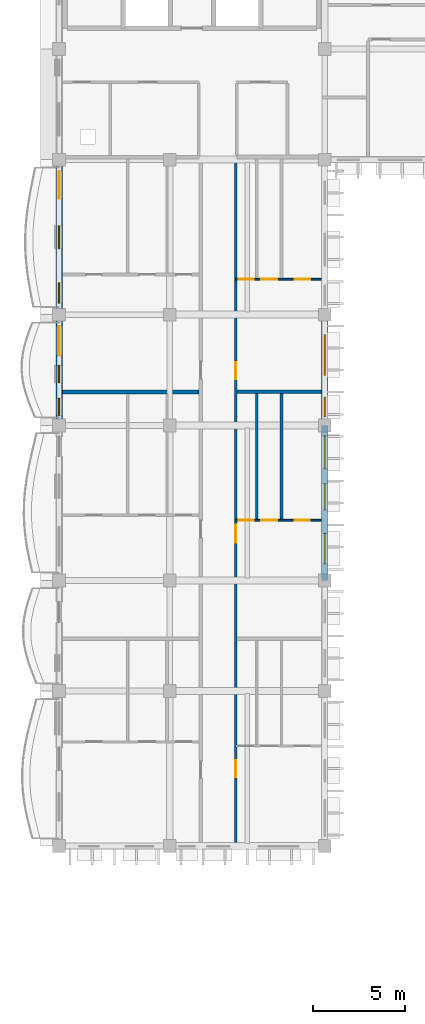
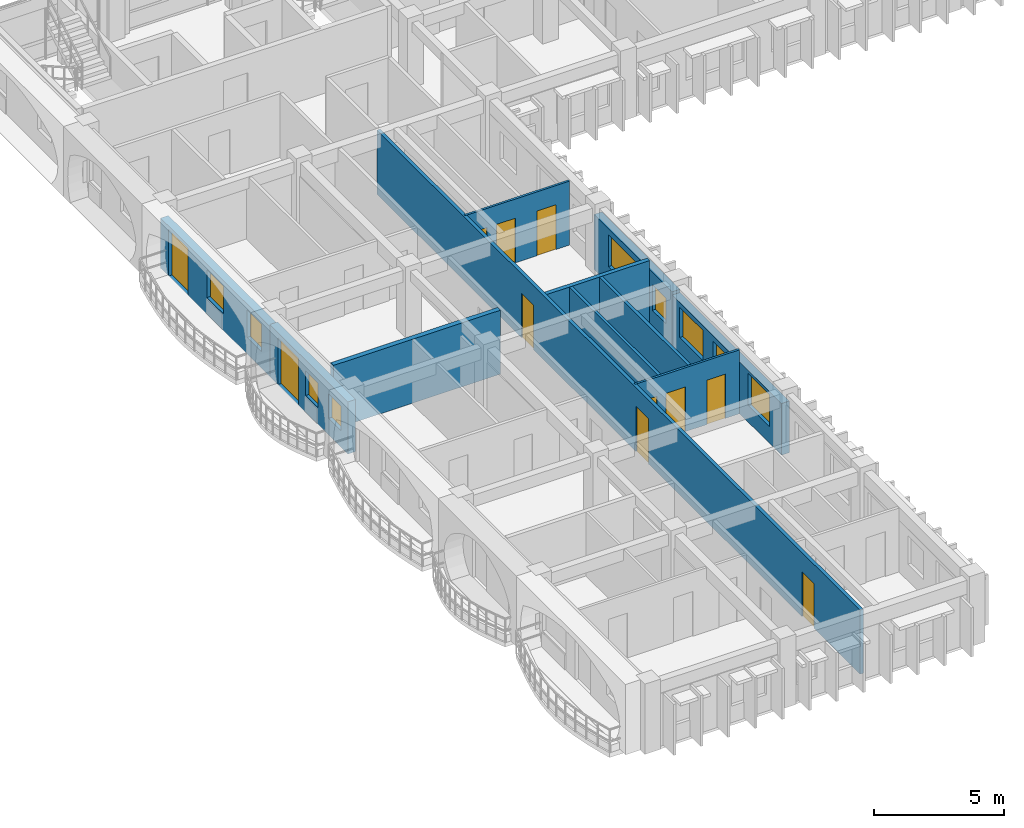
# One storey, part 22 of 70: 11 doors, 11 walls, 9 windows, 20 openings.
"""IFC4 building model written with IfcOpenShell, lengths in metres."""

from ifc_helpers import new_model, si_unit, direction, frame, frame_2d, origin, place, context, subcontext, project, spatial, rectangle, extrude, material, layer, layer_set, type_object, element, fill, save


model = new_model("IFC4")

# Units and contexts
model_context = context("Model", 3, precision=1e-05, world=origin(), true_north=direction((0.0, 1.0)))
body_context = subcontext(model_context, "Body", "Model", "MODEL_VIEW")
ifc_project = project(units=[si_unit("LENGTHUNIT", "METRE"), si_unit("AREAUNIT", "SQUARE_METRE"), si_unit("VOLUMEUNIT", "CUBIC_METRE"), si_unit("PLANEANGLEUNIT", "RADIAN"), si_unit("MASSUNIT", "GRAM", prefix="KILO"), si_unit("THERMODYNAMICTEMPERATUREUNIT", "KELVIN")], contexts=[model_context])

# Site, building, storey
site_placement = place(None, origin())
site = spatial("IfcSite", under=ifc_project, at=site_placement, CompositionType="ELEMENT")
building_placement = place(site_placement, origin())
building = spatial("IfcBuilding", under=site, at=building_placement, Name="Thalorik Housing Commons", CompositionType="ELEMENT")
storey_placement = place(building_placement, frame((0.0, 0.0, 14.699951171875)))
storey = spatial("IfcBuildingStorey", under=building, at=storey_placement, Name="L04", CompositionType="ELEMENT", Elevation=14.699951171875)

# Wall, openings, doors
ifc_material_1 = material(Name="Masonry fire-rated corridor wall", Category="masonry")
ifc_layer_1 = layer(ifc_material_1, 0.14990234375, Name="Masonry fire-rated corridor wall", Category="masonry")
ifc_layer_set_1 = layer_set([ifc_layer_1], Name="Masonry fire-rated corridor wall")
wall_type_1 = type_object("IfcWallType", Name="ARC-WAL-CORR-150", PredefinedType="PARTITIONING", material=ifc_layer_set_1)
wall_1_placement = place(storey_placement, frame((17.97998046875, 72.177001953125, 0.0), z_axis=(0.0, 0.0, 1.0), x_axis=(0.0, 1.0, 0.0)))
wall_1 = element("IfcWall", 1, at=wall_1_placement, inside=storey, type_object=wall_type_1, Name="L04 Block A W Corridor Wall 2", PredefinedType="PARTITIONING", context=body_context, shape_type="SweptSolid", body=[
    extrude(rectangle(XDim=37.1630859375, YDim=0.14990234375, at=frame_2d((18.58154296875, 0.0))), origin(), (0.0, 0.0, 1.0), 3.0),
])
opening_1_placement = place(wall_1_placement, frame((3.551025390625, 0.0, 0.0)))
opening_1 = element("IfcOpeningElement", 2, at=opening_1_placement, cuts=wall_1, Name="Opening ID-0594", PredefinedType="OPENING", context=body_context, shape_type="SweptSolid", body=[
    extrude(rectangle(XDim=0.919921875, YDim=2.10009765625, at=frame_2d((0.4599609375, 1.050048828125))), frame((0.0, 0.0849609375, 0.0), z_axis=(0.0, -1.0, 0.0), x_axis=(1.0, 0.0, 0.0)), (0.0, 0.0, 1.0), 0.169921875),
])
opening_2_placement = place(wall_1_placement, frame((16.275390625, 0.0, 0.0)))
opening_2 = element("IfcOpeningElement", 3, at=opening_2_placement, cuts=wall_1, Name="Opening ID-0595", PredefinedType="OPENING", context=body_context, shape_type="SweptSolid", body=[
    extrude(rectangle(XDim=0.9599609375, YDim=2.1201171875, at=frame_2d((0.47998046875, 1.06005859375))), frame((0.0, 0.0849609375, 0.0), z_axis=(0.0, -1.0, 0.0), x_axis=(1.0, 0.0, 0.0)), (0.0, 0.0, 1.0), 0.169921875),
])
opening_3_placement = place(wall_1_placement, frame((25.12841796875, 0.0, 0.0)))
opening_3 = element("IfcOpeningElement", 4, at=opening_3_placement, cuts=wall_1, Name="Opening ID-0596", PredefinedType="OPENING", context=body_context, shape_type="SweptSolid", body=[
    extrude(rectangle(XDim=0.919921875, YDim=2.10009765625, at=frame_2d((0.4599609375, 1.050048828125))), frame((0.0, 0.0849609375, 0.0), z_axis=(0.0, -1.0, 0.0), x_axis=(1.0, 0.0, 0.0)), (0.0, 0.0, 1.0), 0.169921875),
])
ifc_material_2 = material(Name="Solid core hardwood timber", Category="wood")
door_type_1 = type_object("IfcDoorType", Name="ARC-DR-FD30-920", OperationType="NOTDEFINED", PredefinedType="DOOR", material=ifc_material_2)
door_1_placement = place(opening_1_placement, origin())
door_1 = element("IfcDoor", 5, at=door_1_placement, inside=storey, type_object=door_type_1, Name="L04 Flat AW-1B Entrance Door", OperationType="SINGLE_SWING_LEFT", OverallHeight=2.10009765625, OverallWidth=0.919921875, PredefinedType="DOOR", context=body_context, shape_type="SweptSolid", body=[
    extrude(rectangle(XDim=0.919921875, YDim=2.10009765625, at=frame_2d((0.4599609375, 1.050048828125))), frame((0.0, 0.02490234375, 0.0), z_axis=(0.0, -1.0, 0.0), x_axis=(1.0, 0.0, 0.0)), (0.0, 0.0, 1.0), 0.050048828125),
])
fill(opening_1, door_1)
door_2_placement = place(opening_3_placement, origin())
door_2 = element("IfcDoor", 6, at=door_2_placement, inside=storey, type_object=door_type_1, Name="L04 Flat AW-3B Entrance Door", OperationType="SINGLE_SWING_LEFT", OverallHeight=2.10009765625, OverallWidth=0.919921875, PredefinedType="DOOR", context=body_context, shape_type="SweptSolid", body=[
    extrude(rectangle(XDim=0.919921875, YDim=2.10009765625, at=frame_2d((0.4599609375, 1.050048828125))), frame((0.0, 0.02490234375, 0.0), z_axis=(0.0, -1.0, 0.0), x_axis=(1.0, 0.0, 0.0)), (0.0, 0.0, 1.0), 0.050048828125),
])
fill(opening_3, door_2)
door_type_2 = type_object("IfcDoorType", Name="ARC-DR-FD30-960", OperationType="NOTDEFINED", PredefinedType="DOOR", material=ifc_material_2)
door_3_placement = place(opening_2_placement, origin())
door_3 = element("IfcDoor", 7, at=door_3_placement, inside=storey, type_object=door_type_2, Name="L04 Flat AW-2B Entrance Door", OperationType="SINGLE_SWING_RIGHT", OverallHeight=2.1201171875, OverallWidth=0.9599609375, PredefinedType="DOOR", context=body_context, shape_type="SweptSolid", body=[
    extrude(rectangle(XDim=0.9599609375, YDim=2.1201171875, at=frame_2d((0.47998046875, 1.06005859375))), frame((0.0, 0.02490234375, 0.0), z_axis=(0.0, -1.0, 0.0), x_axis=(1.0, 0.0, 0.0)), (0.0, 0.0, 1.0), 0.050048828125),
])
fill(opening_2, door_3)

# Wall, openings, door, windows
ifc_material_3 = material(Name="White precast concrete C40/50", Category="concrete")
ifc_layer_2 = layer(ifc_material_3, 0.35009765625, Name="White precast concrete C40/50", Category="concrete")
ifc_layer_set_2 = layer_set([ifc_layer_2], Name="White precast concrete C40/50")
wall_type_2 = type_object("IfcWallType", Name="ARC-WAL-EXT-350", PredefinedType="STANDARD", material=ifc_layer_set_2)
wall_2_placement = place(storey_placement, frame((8.39990234375, 109.199951171875, 0.0), z_axis=(0.0, 0.0, 1.0), x_axis=(0.0, -1.0, 0.0)))
wall_2 = element("IfcWall", 8, at=wall_2_placement, inside=storey, type_object=wall_type_2, Name="L04 Exterior Wall WAL-EXT-L04-A-0129", PredefinedType="STANDARD", context=body_context, shape_type="SweptSolid", body=[
    extrude(rectangle(XDim=8.39990234375, YDim=0.35009765625, at=frame_2d((4.199951171875, 0.0))), origin(), (0.0, 0.0, 1.0), 2.344970703125),
])
opening_4_placement = place(wall_2_placement, frame((0.6201171875, 0.0, 0.0)))
opening_4 = element("IfcOpeningElement", 9, at=opening_4_placement, cuts=wall_2, Name="Opening ED-0035", PredefinedType="OPENING", context=body_context, shape_type="SweptSolid", body=[
    extrude(rectangle(XDim=1.5, YDim=2.199951171875, at=frame_2d((0.75, 1.10009765625))), frame((0.0, 0.18505859375, 0.0), z_axis=(0.0, -1.0, 0.0), x_axis=(1.0, 0.0, 0.0)), (0.0, 0.0, 1.0), 0.3701171875),
])
opening_5_placement = place(wall_2_placement, frame((3.570068359375, 0.0, 0.780029296875)))
opening_5 = element("IfcOpeningElement", 10, at=opening_5_placement, cuts=wall_2, Name="Opening W-46", PredefinedType="OPENING", context=body_context, shape_type="SweptSolid", body=[
    extrude(rectangle(XDim=1.25, YDim=1.300048828125, at=frame_2d((0.625, 0.64990234375))), frame((0.0, 0.18505859375, 0.0), z_axis=(0.0, -1.0, 0.0), x_axis=(1.0, 0.0, 0.0)), (0.0, 0.0, 1.0), 0.3701171875),
])
opening_6_placement = place(wall_2_placement, frame((6.6650390625, 0.0, 0.780029296875)))
opening_6 = element("IfcOpeningElement", 11, at=opening_6_placement, cuts=wall_2, Name="Opening W-03", PredefinedType="OPENING", context=body_context, shape_type="SweptSolid", body=[
    extrude(rectangle(XDim=1.10009765625, YDim=1.300048828125, at=frame_2d((0.550048828125, 0.64990234375))), frame((0.0, 0.18505859375, 0.0), z_axis=(0.0, -1.0, 0.0), x_axis=(1.0, 0.0, 0.0)), (0.0, 0.0, 1.0), 0.3701171875),
])
ifc_material_4 = material(Name="Anodised aluminium and laminated safety glass", Category="aluminium")
door_type_3 = type_object("IfcDoorType", Name="ARC-DR-BAL-1500", OperationType="NOTDEFINED", PredefinedType="DOOR", material=ifc_material_4)
door_4_placement = place(opening_4_placement, frame((1.5, 0.0, 0.0), z_axis=(0.0, 0.0, 1.0), x_axis=(-1.0, 0.0, 0.0)))
door_4 = element("IfcDoor", 12, at=door_4_placement, inside=storey, type_object=door_type_3, Name="L04 Block A Balcony Glazed Door", OperationType="SLIDING_TO_RIGHT", OverallHeight=2.199951171875, OverallWidth=1.5, PredefinedType="DOOR", context=body_context, shape_type="SweptSolid", body=[
    extrude(rectangle(XDim=1.5, YDim=2.199951171875, at=frame_2d((0.75, 1.10009765625))), frame((0.0, 0.02490234375, 0.0), z_axis=(0.0, -1.0, 0.0), x_axis=(1.0, 0.0, 0.0)), (0.0, 0.0, 1.0), 0.050048828125),
])
fill(opening_4, door_4)
ifc_material_5 = material(Name="Anodised aluminium and solar-control low-E glass", Category="aluminium")
window_type_1 = type_object("IfcWindowType", Name="ARC-WIN-03", PartitioningType="SINGLE_PANEL", PredefinedType="WINDOW", material=ifc_material_5)
window_1_placement = place(opening_6_placement, origin())
window_1 = element("IfcWindow", 13, at=window_1_placement, inside=storey, type_object=window_type_1, Name="L04 Facade Window 229", OverallHeight=1.300048828125, OverallWidth=1.10009765625, PartitioningType="SINGLE_PANEL", PredefinedType="WINDOW", context=body_context, shape_type="SweptSolid", body=[
    extrude(rectangle(XDim=1.10009765625, YDim=1.300048828125, at=frame_2d((0.550048828125, 0.64990234375))), frame((0.0, 0.030029296875, 0.0), z_axis=(0.0, -1.0, 0.0), x_axis=(1.0, 0.0, 0.0)), (0.0, 0.0, 1.0), 0.06005859375),
])
fill(opening_6, window_1)
window_type_2 = type_object("IfcWindowType", Name="ARC-WIN-46", PartitioningType="SINGLE_PANEL", PredefinedType="WINDOW", material=ifc_material_5)
window_2_placement = place(opening_5_placement, origin())
window_2 = element("IfcWindow", 14, at=window_2_placement, inside=storey, type_object=window_type_2, Name="L04 Facade Window 228", OverallHeight=1.300048828125, OverallWidth=1.25, PartitioningType="SINGLE_PANEL", PredefinedType="WINDOW", context=body_context, shape_type="SweptSolid", body=[
    extrude(rectangle(XDim=1.25, YDim=1.300048828125, at=frame_2d((0.625, 0.64990234375))), frame((0.0, 0.030029296875, 0.0), z_axis=(0.0, -1.0, 0.0), x_axis=(1.0, 0.0, 0.0)), (0.0, 0.0, 1.0), 0.06005859375),
])
fill(opening_5, window_2)

wall_3_placement = place(storey_placement, frame((8.39990234375, 100.800048828125, 0.0), z_axis=(0.0, 0.0, 1.0), x_axis=(0.0, -1.0, 0.0)))
wall_3 = element("IfcWall", 15, at=wall_3_placement, inside=storey, type_object=wall_type_2, Name="L04 Exterior Wall WAL-EXT-L04-A-0130", PredefinedType="STANDARD", context=body_context, shape_type="SweptSolid", body=[
    extrude(rectangle(XDim=6.0, YDim=0.35009765625, at=frame_2d((3.0, 0.0))), origin(), (0.0, 0.0, 1.0), 2.445068359375),
])
opening_7_placement = place(wall_3_placement, frame((0.6201171875, 0.0, 0.0)))
opening_7 = element("IfcOpeningElement", 16, at=opening_7_placement, cuts=wall_3, Name="Opening ED-0036", PredefinedType="OPENING", context=body_context, shape_type="SweptSolid", body=[
    extrude(rectangle(XDim=1.60009765625, YDim=2.199951171875, at=frame_2d((0.800048828125, 1.10009765625))), frame((0.0, 0.18505859375, 0.0), z_axis=(0.0, -1.0, 0.0), x_axis=(1.0, 0.0, 0.0)), (0.0, 0.0, 1.0), 0.3701171875),
])
opening_8_placement = place(wall_3_placement, frame((2.75, 0.0, 0.780029296875)))
opening_8 = element("IfcOpeningElement", 17, at=opening_8_placement, cuts=wall_3, Name="Opening W-43", PredefinedType="OPENING", context=body_context, shape_type="SweptSolid", body=[
    extrude(rectangle(XDim=0.949951171875, YDim=1.14990234375, at=frame_2d((0.47509765625, 0.574951171875))), frame((0.0, 0.18505859375, 0.0), z_axis=(0.0, -1.0, 0.0), x_axis=(1.0, 0.0, 0.0)), (0.0, 0.0, 1.0), 0.3701171875),
])
opening_9_placement = place(wall_3_placement, frame((4.52001953125, 0.0, 0.780029296875)))
opening_9 = element("IfcOpeningElement", 18, at=opening_9_placement, cuts=wall_3, Name="Opening W-43", PredefinedType="OPENING", context=body_context, shape_type="SweptSolid", body=[
    extrude(rectangle(XDim=0.949951171875, YDim=1.14990234375, at=frame_2d((0.47509765625, 0.574951171875))), frame((0.0, 0.18505859375, 0.0), z_axis=(0.0, -1.0, 0.0), x_axis=(1.0, 0.0, 0.0)), (0.0, 0.0, 1.0), 0.3701171875),
])
door_type_4 = type_object("IfcDoorType", Name="ARC-DR-BAL-1600", OperationType="NOTDEFINED", PredefinedType="DOOR", material=ifc_material_4)
door_5_placement = place(opening_7_placement, frame((1.60009765625, 0.0, 0.0), z_axis=(0.0, 0.0, 1.0), x_axis=(-1.0, 0.0, 0.0)))
door_5 = element("IfcDoor", 19, at=door_5_placement, inside=storey, type_object=door_type_4, Name="L04 Block A Balcony Glazed Door", OperationType="SLIDING_TO_LEFT", OverallHeight=2.199951171875, OverallWidth=1.60009765625, PredefinedType="DOOR", context=body_context, shape_type="SweptSolid", body=[
    extrude(rectangle(XDim=1.60009765625, YDim=2.199951171875, at=frame_2d((0.800048828125, 1.10009765625))), frame((0.0, 0.02490234375, 0.0), z_axis=(0.0, -1.0, 0.0), x_axis=(1.0, 0.0, 0.0)), (0.0, 0.0, 1.0), 0.050048828125),
])
fill(opening_7, door_5)
window_type_3 = type_object("IfcWindowType", Name="ARC-WIN-43", PartitioningType="SINGLE_PANEL", PredefinedType="WINDOW", material=ifc_material_5)
window_3_placement = place(opening_8_placement, origin())
window_3 = element("IfcWindow", 20, at=window_3_placement, inside=storey, type_object=window_type_3, Name="L04 Facade Window 230", OverallHeight=1.14990234375, OverallWidth=0.949951171875, PartitioningType="SINGLE_PANEL", PredefinedType="WINDOW", context=body_context, shape_type="SweptSolid", body=[
    extrude(rectangle(XDim=0.949951171875, YDim=1.14990234375, at=frame_2d((0.47509765625, 0.574951171875))), frame((0.0, 0.030029296875, 0.0), z_axis=(0.0, -1.0, 0.0), x_axis=(1.0, 0.0, 0.0)), (0.0, 0.0, 1.0), 0.06005859375),
])
fill(opening_8, window_3)
window_4_placement = place(opening_9_placement, origin())
window_4 = element("IfcWindow", 21, at=window_4_placement, inside=storey, type_object=window_type_3, Name="L04 Facade Window 231", OverallHeight=1.14990234375, OverallWidth=0.949951171875, PartitioningType="SINGLE_PANEL", PredefinedType="WINDOW", context=body_context, shape_type="SweptSolid", body=[
    extrude(rectangle(XDim=0.949951171875, YDim=1.14990234375, at=frame_2d((0.47509765625, 0.574951171875))), frame((0.0, 0.030029296875, 0.0), z_axis=(0.0, -1.0, 0.0), x_axis=(1.0, 0.0, 0.0)), (0.0, 0.0, 1.0), 0.06005859375),
])
fill(opening_9, window_4)

# Wall, openings, windows
wall_4_placement = place(storey_placement, frame((22.800048828125, 86.39990234375, 0.0), z_axis=(0.0, 0.0, 1.0), x_axis=(0.0, 1.0, 0.0)))
wall_4 = element("IfcWall", 22, at=wall_4_placement, inside=storey, type_object=wall_type_2, Name="L04 Exterior Wall WAL-EXT-L04-A-0138", PredefinedType="STANDARD", context=body_context, shape_type="SweptSolid", body=[
    extrude(rectangle(XDim=8.400146484375, YDim=0.35009765625, at=frame_2d((4.2001953125, 0.0))), origin(), (0.0, 0.0, 1.0), 2.425048828125),
])
opening_10_placement = place(wall_4_placement, frame((0.901123046875, 0.0, 0.780029296875)))
opening_10 = element("IfcOpeningElement", 23, at=opening_10_placement, cuts=wall_4, Name="Opening W-15", PredefinedType="OPENING", context=body_context, shape_type="SweptSolid", body=[
    extrude(rectangle(XDim=1.64990234375, YDim=1.5, at=frame_2d((0.824951171875, 0.75))), frame((0.0, 0.18505859375, 0.0), z_axis=(0.0, -1.0, 0.0), x_axis=(1.0, 0.0, 0.0)), (0.0, 0.0, 1.0), 0.3701171875),
])
opening_11_placement = place(wall_4_placement, frame((3.82421875, 0.0, 0.780029296875)))
opening_11 = element("IfcOpeningElement", 24, at=opening_11_placement, cuts=wall_4, Name="Opening W-50", PredefinedType="OPENING", context=body_context, shape_type="SweptSolid", body=[
    extrude(rectangle(XDim=1.419921875, YDim=1.3798828125, at=frame_2d((0.7099609375, 0.68994140625))), frame((0.0, 0.18505859375, 0.0), z_axis=(0.0, -1.0, 0.0), x_axis=(1.0, 0.0, 0.0)), (0.0, 0.0, 1.0), 0.3701171875),
])
opening_12_placement = place(wall_4_placement, frame((6.048095703125, 0.0, 0.780029296875)))
opening_12 = element("IfcOpeningElement", 25, at=opening_12_placement, cuts=wall_4, Name="Opening W-57", PredefinedType="OPENING", context=body_context, shape_type="SweptSolid", body=[
    extrude(rectangle(XDim=1.780029296875, YDim=1.419921875, at=frame_2d((0.89013671875, 0.7099609375))), frame((0.0, 0.18505859375, 0.0), z_axis=(0.0, -1.0, 0.0), x_axis=(1.0, 0.0, 0.0)), (0.0, 0.0, 1.0), 0.3701171875),
])
window_type_4 = type_object("IfcWindowType", Name="ARC-WIN-15", PartitioningType="DOUBLE_PANEL_VERTICAL", PredefinedType="WINDOW", material=ifc_material_5)
window_5_placement = place(opening_10_placement, origin())
window_5 = element("IfcWindow", 26, at=window_5_placement, inside=storey, type_object=window_type_4, Name="L04 Facade Window 247", OverallHeight=1.5, OverallWidth=1.64990234375, PartitioningType="DOUBLE_PANEL_VERTICAL", PredefinedType="WINDOW", context=body_context, shape_type="SweptSolid", body=[
    extrude(rectangle(XDim=1.64990234375, YDim=1.5, at=frame_2d((0.824951171875, 0.75))), frame((0.0, 0.030029296875, 0.0), z_axis=(0.0, -1.0, 0.0), x_axis=(1.0, 0.0, 0.0)), (0.0, 0.0, 1.0), 0.06005859375),
])
fill(opening_10, window_5)
window_type_5 = type_object("IfcWindowType", Name="ARC-WIN-50", PartitioningType="SINGLE_PANEL", PredefinedType="WINDOW", material=ifc_material_5)
window_6_placement = place(opening_11_placement, origin())
window_6 = element("IfcWindow", 27, at=window_6_placement, inside=storey, type_object=window_type_5, Name="L04 Facade Window 248", OverallHeight=1.3798828125, OverallWidth=1.419921875, PartitioningType="SINGLE_PANEL", PredefinedType="WINDOW", context=body_context, shape_type="SweptSolid", body=[
    extrude(rectangle(XDim=1.419921875, YDim=1.3798828125, at=frame_2d((0.7099609375, 0.68994140625))), frame((0.0, 0.030029296875, 0.0), z_axis=(0.0, -1.0, 0.0), x_axis=(1.0, 0.0, 0.0)), (0.0, 0.0, 1.0), 0.06005859375),
])
fill(opening_11, window_6)
window_type_6 = type_object("IfcWindowType", Name="ARC-WIN-57", PartitioningType="DOUBLE_PANEL_VERTICAL", PredefinedType="WINDOW", material=ifc_material_5)
window_7_placement = place(opening_12_placement, origin())
window_7 = element("IfcWindow", 28, at=window_7_placement, inside=storey, type_object=window_type_6, Name="L04 Facade Window 249", OverallHeight=1.419921875, OverallWidth=1.780029296875, PartitioningType="DOUBLE_PANEL_VERTICAL", PredefinedType="WINDOW", context=body_context, shape_type="SweptSolid", body=[
    extrude(rectangle(XDim=1.780029296875, YDim=1.419921875, at=frame_2d((0.89013671875, 0.7099609375))), frame((0.0, 0.030029296875, 0.0), z_axis=(0.0, -1.0, 0.0), x_axis=(1.0, 0.0, 0.0)), (0.0, 0.0, 1.0), 0.06005859375),
])
fill(opening_12, window_7)

wall_5_placement = place(storey_placement, frame((22.800048828125, 94.800048828125, 0.0), z_axis=(0.0, 0.0, 1.0), x_axis=(0.0, 1.0, 0.0)))
wall_5 = element("IfcWall", 29, at=wall_5_placement, inside=storey, type_object=wall_type_2, Name="L04 Exterior Wall WAL-EXT-L04-A-0139", PredefinedType="STANDARD", context=body_context, shape_type="SweptSolid", body=[
    extrude(rectangle(XDim=6.0, YDim=0.35009765625, at=frame_2d((3.0, 0.0))), origin(), (0.0, 0.0, 1.0), 2.574951171875),
])
opening_13_placement = place(wall_5_placement, frame((0.47998046875, 0.0, 0.780029296875)))
opening_13 = element("IfcOpeningElement", 30, at=opening_13_placement, cuts=wall_5, Name="Opening W-44", PredefinedType="OPENING", context=body_context, shape_type="SweptSolid", body=[
    extrude(rectangle(XDim=1.050048828125, YDim=1.199951171875, at=frame_2d((0.52490234375, 0.60009765625))), frame((0.0, 0.18505859375, 0.0), z_axis=(0.0, -1.0, 0.0), x_axis=(1.0, 0.0, 0.0)), (0.0, 0.0, 1.0), 0.3701171875),
])
opening_14_placement = place(wall_5_placement, frame((2.715087890625, 0.0, 0.780029296875)))
opening_14 = element("IfcOpeningElement", 31, at=opening_14_placement, cuts=wall_5, Name="Opening W-29", PredefinedType="OPENING", context=body_context, shape_type="SweptSolid", body=[
    extrude(rectangle(XDim=2.199951171875, YDim=1.5, at=frame_2d((1.10009765625, 0.75))), frame((0.0, 0.18505859375, 0.0), z_axis=(0.0, -1.0, 0.0), x_axis=(1.0, 0.0, 0.0)), (0.0, 0.0, 1.0), 0.3701171875),
])
window_type_7 = type_object("IfcWindowType", Name="ARC-WIN-29", PartitioningType="DOUBLE_PANEL_VERTICAL", PredefinedType="WINDOW", material=ifc_material_5)
window_8_placement = place(opening_14_placement, origin())
window_8 = element("IfcWindow", 32, at=window_8_placement, inside=storey, type_object=window_type_7, Name="L04 Facade Window 251", OverallHeight=1.5, OverallWidth=2.199951171875, PartitioningType="DOUBLE_PANEL_VERTICAL", PredefinedType="WINDOW", context=body_context, shape_type="SweptSolid", body=[
    extrude(rectangle(XDim=2.199951171875, YDim=1.5, at=frame_2d((1.10009765625, 0.75))), frame((0.0, 0.030029296875, 0.0), z_axis=(0.0, -1.0, 0.0), x_axis=(1.0, 0.0, 0.0)), (0.0, 0.0, 1.0), 0.06005859375),
])
fill(opening_14, window_8)
window_type_8 = type_object("IfcWindowType", Name="ARC-WIN-44", PartitioningType="SINGLE_PANEL", PredefinedType="WINDOW", material=ifc_material_5)
window_9_placement = place(opening_13_placement, origin())
window_9 = element("IfcWindow", 33, at=window_9_placement, inside=storey, type_object=window_type_8, Name="L04 Facade Window 250", OverallHeight=1.199951171875, OverallWidth=1.050048828125, PartitioningType="SINGLE_PANEL", PredefinedType="WINDOW", context=body_context, shape_type="SweptSolid", body=[
    extrude(rectangle(XDim=1.050048828125, YDim=1.199951171875, at=frame_2d((0.52490234375, 0.60009765625))), frame((0.0, 0.030029296875, 0.0), z_axis=(0.0, -1.0, 0.0), x_axis=(1.0, 0.0, 0.0)), (0.0, 0.0, 1.0), 0.06005859375),
])
fill(opening_13, window_9)

# Wall, openings, doors
ifc_material_6 = material(Name="Gypsum light stud partition", Category="masonry")
ifc_layer_3 = layer(ifc_material_6, 0.10009765625, Name="Gypsum light stud partition", Category="masonry")
ifc_layer_set_3 = layer_set([ifc_layer_3], Name="Gypsum light stud partition")
wall_type_3 = type_object("IfcWallType", Name="ARC-WAL-PART-100", PredefinedType="PARTITIONING", material=ifc_layer_set_3)
wall_6_placement = place(storey_placement, frame((17.97998046875, 89.662353515625, 0.0), z_axis=(0.0, 0.0, 1.0), x_axis=(1.0, 0.0, 0.0)))
wall_6 = element("IfcWall", 34, at=wall_6_placement, inside=storey, type_object=wall_type_3, Name="L04 Unit 2B Spine Partition", PredefinedType="PARTITIONING", context=body_context, shape_type="SweptSolid", body=[
    extrude(rectangle(XDim=4.64306640625, YDim=0.10009765625, at=frame_2d((2.321533203125, 0.0))), origin(), (0.0, 0.0, 1.0), 3.0),
])
opening_15_placement = place(wall_6_placement, frame((0.171142578125, 0.0, 0.0)))
opening_15 = element("IfcOpeningElement", 35, at=opening_15_placement, cuts=wall_6, Name="Opening ID-0582", PredefinedType="OPENING", context=body_context, shape_type="SweptSolid", body=[
    extrude(rectangle(XDim=0.800048828125, YDim=2.10009765625, at=frame_2d((0.39990234375, 1.050048828125))), frame((0.0, 0.06005859375, 0.0), z_axis=(0.0, -1.0, 0.0), x_axis=(1.0, 0.0, 0.0)), (0.0, 0.0, 1.0), 0.1201171875),
])
opening_16_placement = place(wall_6_placement, frame((1.3837890625, 0.0, 0.0)))
opening_16 = element("IfcOpeningElement", 36, at=opening_16_placement, cuts=wall_6, Name="Opening ID-0583", PredefinedType="OPENING", context=body_context, shape_type="SweptSolid", body=[
    extrude(rectangle(XDim=0.85009765625, YDim=2.10009765625, at=frame_2d((0.425048828125, 1.050048828125))), frame((0.0, 0.06005859375, 0.0), z_axis=(0.0, -1.0, 0.0), x_axis=(1.0, 0.0, 0.0)), (0.0, 0.0, 1.0), 0.1201171875),
])
opening_17_placement = place(wall_6_placement, frame((3.192626953125, 0.0, 0.0)))
opening_17 = element("IfcOpeningElement", 37, at=opening_17_placement, cuts=wall_6, Name="Opening ID-0584", PredefinedType="OPENING", context=body_context, shape_type="SweptSolid", body=[
    extrude(rectangle(XDim=0.820068359375, YDim=2.080078125, at=frame_2d((0.41015625, 1.0400390625))), frame((0.0, 0.06005859375, 0.0), z_axis=(0.0, -1.0, 0.0), x_axis=(1.0, 0.0, 0.0)), (0.0, 0.0, 1.0), 0.1201171875),
])
ifc_material_7 = material(Name="Moisture-resistant timber", Category="wood")
door_type_5 = type_object("IfcDoorType", Name="ARC-DR-INT-800", OperationType="NOTDEFINED", PredefinedType="DOOR", material=ifc_material_7)
door_6_placement = place(opening_15_placement, origin())
door_6 = element("IfcDoor", 38, at=door_6_placement, inside=storey, type_object=door_type_5, Name="L04 Flat Bathroom Door", OperationType="SINGLE_SWING_LEFT", OverallHeight=2.10009765625, OverallWidth=0.800048828125, PredefinedType="DOOR", context=body_context, shape_type="SweptSolid", body=[
    extrude(rectangle(XDim=0.800048828125, YDim=2.10009765625, at=frame_2d((0.39990234375, 1.050048828125))), frame((0.0, 0.02490234375, 0.0), z_axis=(0.0, -1.0, 0.0), x_axis=(1.0, 0.0, 0.0)), (0.0, 0.0, 1.0), 0.050048828125),
])
fill(opening_15, door_6)
ifc_material_8 = material(Name="Engineered oak timber", Category="wood")
door_type_6 = type_object("IfcDoorType", Name="ARC-DR-INT-820", OperationType="NOTDEFINED", PredefinedType="DOOR", material=ifc_material_8)
door_7_placement = place(opening_17_placement, origin())
door_7 = element("IfcDoor", 39, at=door_7_placement, inside=storey, type_object=door_type_6, Name="L04 Master Bedroom Door", OperationType="SINGLE_SWING_LEFT", OverallHeight=2.080078125, OverallWidth=0.820068359375, PredefinedType="DOOR", context=body_context, shape_type="SweptSolid", body=[
    extrude(rectangle(XDim=0.820068359375, YDim=2.080078125, at=frame_2d((0.41015625, 1.0400390625))), frame((0.0, 0.02490234375, 0.0), z_axis=(0.0, -1.0, 0.0), x_axis=(1.0, 0.0, 0.0)), (0.0, 0.0, 1.0), 0.050048828125),
])
fill(opening_17, door_7)
door_type_7 = type_object("IfcDoorType", Name="ARC-DR-INT-850", OperationType="NOTDEFINED", PredefinedType="DOOR", material=ifc_material_8)
door_8_placement = place(opening_16_placement, origin())
door_8 = element("IfcDoor", 40, at=door_8_placement, inside=storey, type_object=door_type_7, Name="L04 Galley Kitchen Door", OperationType="SINGLE_SWING_RIGHT", OverallHeight=2.10009765625, OverallWidth=0.85009765625, PredefinedType="DOOR", context=body_context, shape_type="SweptSolid", body=[
    extrude(rectangle(XDim=0.85009765625, YDim=2.10009765625, at=frame_2d((0.425048828125, 1.050048828125))), frame((0.0, 0.02490234375, 0.0), z_axis=(0.0, -1.0, 0.0), x_axis=(1.0, 0.0, 0.0)), (0.0, 0.0, 1.0), 0.050048828125),
])
fill(opening_16, door_8)

wall_7_placement = place(storey_placement, frame((17.97998046875, 102.7255859375, 0.0), z_axis=(0.0, 0.0, 1.0), x_axis=(1.0, 0.0, 0.0)))
wall_7 = element("IfcWall", 41, at=wall_7_placement, inside=storey, type_object=wall_type_3, Name="L04 Unit 3B Spine Partition", PredefinedType="PARTITIONING", context=body_context, shape_type="SweptSolid", body=[
    extrude(rectangle(XDim=4.64306640625, YDim=0.10009765625, at=frame_2d((2.321533203125, 0.0))), origin(), (0.0, 0.0, 1.0), 3.0),
])
opening_18_placement = place(wall_7_placement, frame((0.171142578125, 0.0, 0.0)))
opening_18 = element("IfcOpeningElement", 42, at=opening_18_placement, cuts=wall_7, Name="Opening ID-0588", PredefinedType="OPENING", context=body_context, shape_type="SweptSolid", body=[
    extrude(rectangle(XDim=0.800048828125, YDim=2.10009765625, at=frame_2d((0.39990234375, 1.050048828125))), frame((0.0, 0.06005859375, 0.0), z_axis=(0.0, -1.0, 0.0), x_axis=(1.0, 0.0, 0.0)), (0.0, 0.0, 1.0), 0.1201171875),
])
opening_19_placement = place(wall_7_placement, frame((1.3837890625, 0.0, 0.0)))
opening_19 = element("IfcOpeningElement", 43, at=opening_19_placement, cuts=wall_7, Name="Opening ID-0589", PredefinedType="OPENING", context=body_context, shape_type="SweptSolid", body=[
    extrude(rectangle(XDim=0.85009765625, YDim=2.10009765625, at=frame_2d((0.425048828125, 1.050048828125))), frame((0.0, 0.06005859375, 0.0), z_axis=(0.0, -1.0, 0.0), x_axis=(1.0, 0.0, 0.0)), (0.0, 0.0, 1.0), 0.1201171875),
])
opening_20_placement = place(wall_7_placement, frame((3.192626953125, 0.0, 0.0)))
opening_20 = element("IfcOpeningElement", 44, at=opening_20_placement, cuts=wall_7, Name="Opening ID-0590", PredefinedType="OPENING", context=body_context, shape_type="SweptSolid", body=[
    extrude(rectangle(XDim=0.85009765625, YDim=2.10009765625, at=frame_2d((0.425048828125, 1.050048828125))), frame((0.0, 0.06005859375, 0.0), z_axis=(0.0, -1.0, 0.0), x_axis=(1.0, 0.0, 0.0)), (0.0, 0.0, 1.0), 0.1201171875),
])
door_9_placement = place(opening_18_placement, origin())
door_9 = element("IfcDoor", 45, at=door_9_placement, inside=storey, type_object=door_type_5, Name="L04 Flat Bathroom Door", OperationType="SINGLE_SWING_LEFT", OverallHeight=2.10009765625, OverallWidth=0.800048828125, PredefinedType="DOOR", context=body_context, shape_type="SweptSolid", body=[
    extrude(rectangle(XDim=0.800048828125, YDim=2.10009765625, at=frame_2d((0.39990234375, 1.050048828125))), frame((0.0, 0.02490234375, 0.0), z_axis=(0.0, -1.0, 0.0), x_axis=(1.0, 0.0, 0.0)), (0.0, 0.0, 1.0), 0.050048828125),
])
fill(opening_18, door_9)
door_10_placement = place(opening_19_placement, origin())
door_10 = element("IfcDoor", 46, at=door_10_placement, inside=storey, type_object=door_type_7, Name="L04 Eat-In Kitchen Door", OperationType="SINGLE_SWING_RIGHT", OverallHeight=2.10009765625, OverallWidth=0.85009765625, PredefinedType="DOOR", context=body_context, shape_type="SweptSolid", body=[
    extrude(rectangle(XDim=0.85009765625, YDim=2.10009765625, at=frame_2d((0.425048828125, 1.050048828125))), frame((0.0, 0.02490234375, 0.0), z_axis=(0.0, -1.0, 0.0), x_axis=(1.0, 0.0, 0.0)), (0.0, 0.0, 1.0), 0.050048828125),
])
fill(opening_19, door_10)
door_11_placement = place(opening_20_placement, origin())
door_11 = element("IfcDoor", 47, at=door_11_placement, inside=storey, type_object=door_type_7, Name="L04 Master Bedroom Door", OperationType="SINGLE_SWING_LEFT", OverallHeight=2.10009765625, OverallWidth=0.85009765625, PredefinedType="DOOR", context=body_context, shape_type="SweptSolid", body=[
    extrude(rectangle(XDim=0.85009765625, YDim=2.10009765625, at=frame_2d((0.425048828125, 1.050048828125))), frame((0.0, 0.02490234375, 0.0), z_axis=(0.0, -1.0, 0.0), x_axis=(1.0, 0.0, 0.0)), (0.0, 0.0, 1.0), 0.050048828125),
])
fill(opening_20, door_11)

# Walls
ifc_material_9 = material(Name="Gypsum acoustic stud partition", Category="masonry")
ifc_layer_4 = layer(ifc_material_9, 0.125, Name="Gypsum acoustic stud partition", Category="masonry")
ifc_layer_set_4 = layer_set([ifc_layer_4], Name="Gypsum acoustic stud partition")
wall_type_4 = type_object("IfcWallType", Name="ARC-WAL-PART-125", PredefinedType="PARTITIONING", material=ifc_layer_set_4)
wall_8_placement = place(storey_placement, frame((19.122314453125, 89.71435546875, 0.0), z_axis=(0.0, 0.0, 1.0), x_axis=(0.0, 1.0, 0.0)))
element("IfcWall", 48, at=wall_8_placement, inside=storey, type_object=wall_type_4, Name="L04 Unit 2B Wet Wall", PredefinedType="PARTITIONING", context=body_context, shape_type="SweptSolid", body=[
    extrude(rectangle(XDim=6.81103515625, YDim=0.125, at=frame_2d((3.405517578125, 0.0))), origin(), (0.0, 0.0, 1.0), 3.0),
])
ifc_material_10 = material(Name="Ceramic masonry partition wall", Category="masonry")
ifc_layer_5 = layer(ifc_material_10, 0.139892578125, Name="Ceramic masonry partition wall", Category="masonry")
ifc_layer_set_5 = layer_set([ifc_layer_5], Name="Ceramic masonry partition wall")
wall_type_5 = type_object("IfcWallType", Name="ARC-WAL-PART-140", PredefinedType="PARTITIONING", material=ifc_layer_set_5)
wall_9_placement = place(storey_placement, frame((20.455078125, 89.71435546875, 0.0), z_axis=(0.0, 0.0, 1.0), x_axis=(0.0, 1.0, 0.0)))
element("IfcWall", 49, at=wall_9_placement, inside=storey, type_object=wall_type_5, Name="L04 Unit 2B Bedroom Partition", PredefinedType="PARTITIONING", context=body_context, shape_type="SweptSolid", body=[
    extrude(rectangle(XDim=6.81103515625, YDim=0.139892578125, at=frame_2d((3.405517578125, 0.0))), origin(), (0.0, 0.0, 1.0), 3.0),
])
ifc_material_11 = material(Name="Masonry acoustic blockwork wall", Category="masonry")
ifc_layer_6 = layer(ifc_material_11, 0.18505859375, Name="Masonry acoustic blockwork wall", Category="masonry")
ifc_layer_set_6 = layer_set([ifc_layer_6], Name="Masonry acoustic blockwork wall")
wall_type_6 = type_object("IfcWallType", Name="ARC-WAL-PARTY-185", PredefinedType="PARTITIONING", material=ifc_layer_set_6)
wall_10_placement = place(storey_placement, frame((18.056884765625, 96.6201171875, 0.0), z_axis=(0.0, 0.0, 1.0), x_axis=(1.0, 0.0, 0.0)))
element("IfcWall", 50, at=wall_10_placement, inside=storey, type_object=wall_type_6, Name="L04 Inter-Tenancy Wall 2B", PredefinedType="PARTITIONING", context=body_context, shape_type="SweptSolid", body=[
    extrude(rectangle(XDim=4.566162109375, YDim=0.18505859375, at=frame_2d((2.283203125, 0.0))), origin(), (0.0, 0.0, 1.0), 3.0),
])
ifc_material_12 = material(Name="Precast concrete C40/50 acoustic wall", Category="concrete")
ifc_layer_7 = layer(ifc_material_12, 0.219970703125, Name="Precast concrete C40/50 acoustic wall", Category="concrete")
ifc_layer_set_7 = layer_set([ifc_layer_7], Name="Precast concrete C40/50 acoustic wall")
wall_type_7 = type_object("IfcWallType", Name="ARC-WAL-PARTY-220", PredefinedType="PARTITIONING", material=ifc_layer_set_7)
wall_11_placement = place(storey_placement, frame((8.576904296875, 96.6201171875, 0.0), z_axis=(0.0, 0.0, 1.0), x_axis=(1.0, 0.0, 0.0)))
element("IfcWall", 51, at=wall_11_placement, inside=storey, type_object=wall_type_7, Name="L04 Inter-Tenancy Wall 2A", PredefinedType="PARTITIONING", context=body_context, shape_type="SweptSolid", body=[
    extrude(rectangle(XDim=7.418701171875, YDim=0.219970703125, at=frame_2d((3.70947265625, 0.0))), origin(), (0.0, 0.0, 1.0), 3.0),
])

save(model, "model.ifc")
